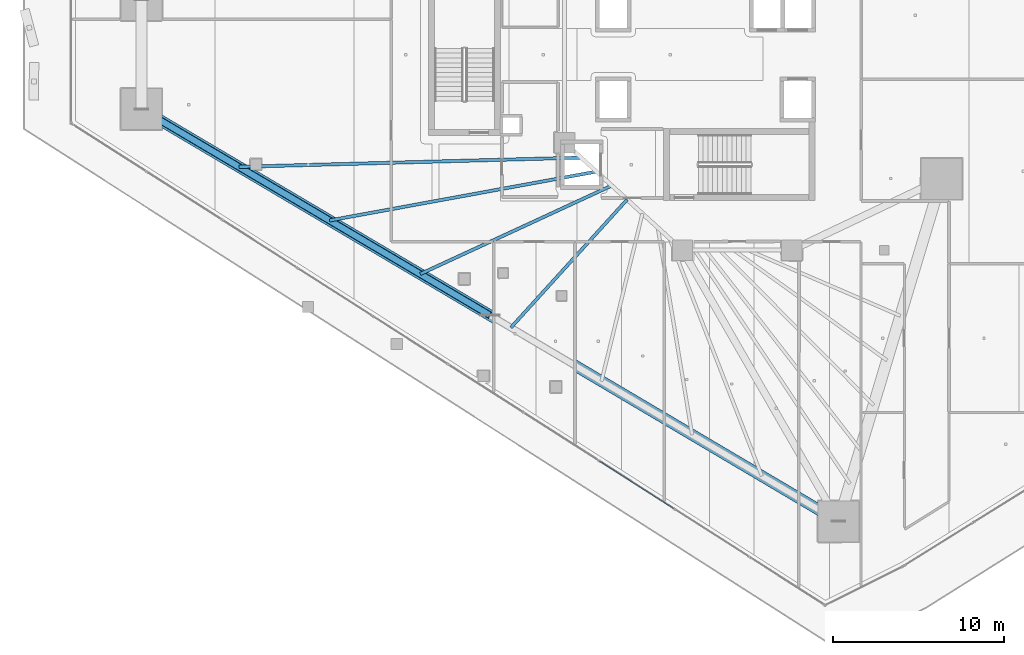
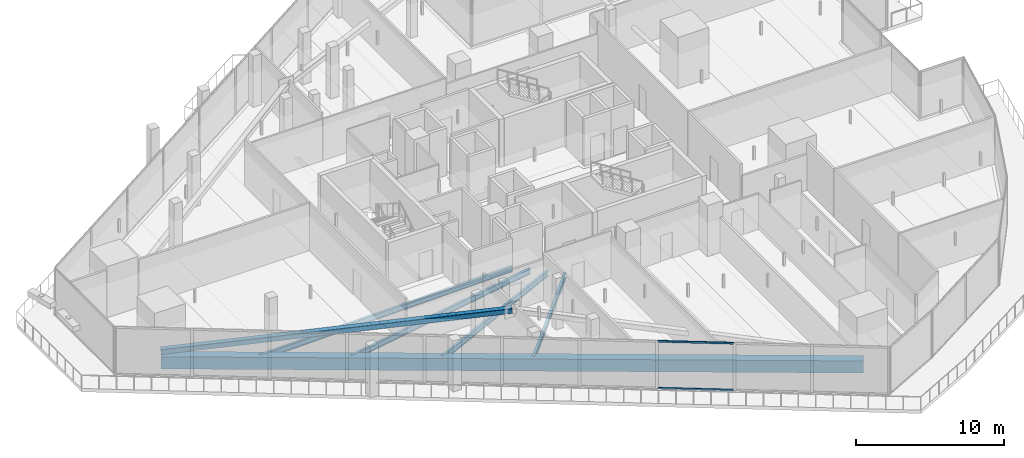
# One storey, part 5 of 47: 5 beams, 3 members, 1 element without a shape of its own.
"""IFC4 building model written with IfcOpenShell, lengths in metres."""

import ifcopenshell
import ifcopenshell.guid

model = None  # the IFC model being written
_history = None  # IfcOwnerHistory: only IFC2X3 demands one
_inside = {}  # id of a spatial element -> (the spatial element, [elements in it])
_under = {}  # id of a project, library or spatial element -> (it, [spatial elements below it])
_declared = {}  # id of a project -> (the project, [libraries it declares])
_typed = {}  # id of a type object -> (the type object, [elements of that type])
_made_of = {}  # id of a material, layer set ... -> (it, [elements and type objects made of it])


def new_model(schema):
    """Start an empty IFC model of exactly this schema.

    Asked for "IFC4X3", IfcOpenShell would pick the latest addendum, in which some entities
    have other attributes; the version numbers below select the first issue.
    IFC2X3 requires an IfcOwnerHistory on every rooted entity: one is made here for all.
    """
    global model, _history
    if schema == "IFC4X3":
        model = ifcopenshell.file(schema_version=(4, 3, 0, 0))
    else:
        model = ifcopenshell.file(schema=schema)
    _inside.clear()
    _under.clear()
    _declared.clear()
    _typed.clear()
    _made_of.clear()
    _history = None
    if model.schema == "IFC2X3":
        org = make("IfcOrganization", Name="unknown")
        user = make(
            "IfcPersonAndOrganization",
            ThePerson=make("IfcPerson", FamilyName="unknown"),
            TheOrganization=org,
        )
        app = make(
            "IfcApplication",
            ApplicationDeveloper=org,
            Version="unknown",
            ApplicationFullName="unknown",
            ApplicationIdentifier="unknown",
        )
        _history = make(
            "IfcOwnerHistory",
            OwningUser=user,
            OwningApplication=app,
            ChangeAction="ADDED",
            CreationDate=0,
        )
    return model


def make(cls, **values):
    """One entity of the class cls with the attributes given. An attribute that is None is left unset."""
    return model.create_entity(
        cls, **{name: value for name, value in values.items() if value is not None}
    )


def rooted(cls, **values):
    """An entity with a GlobalId (a new one), such as an element, a storey or a relation."""
    return make(cls, GlobalId=ifcopenshell.guid.new(), OwnerHistory=_history, **values)


def si_unit(unit_type, name, prefix=None):
    """IfcSIUnit, for example si_unit("LENGTHUNIT", "METRE", prefix="MILLI")."""
    return make("IfcSIUnit", UnitType=unit_type, Prefix=prefix, Name=name)


def assignment(units):
    """IfcUnitAssignment: the units of a project."""
    return None if units is None else make("IfcUnitAssignment", Units=units)


def point(xyz):
    """IfcCartesianPoint."""
    return None if xyz is None else make("IfcCartesianPoint", Coordinates=xyz)


def direction(xyz):
    """IfcDirection."""
    return None if xyz is None else make("IfcDirection", DirectionRatios=xyz)


def frame(location, z_axis=None, x_axis=None):
    """IfcAxis2Placement3D, a coordinate frame: its origin and axes. An axis left out is left unset."""
    return make(
        "IfcAxis2Placement3D",
        Location=point(location),
        Axis=direction(z_axis),
        RefDirection=direction(x_axis),
    )


def frame_2d(location, x_axis=None):
    """IfcAxis2Placement2D, a coordinate frame in the plane: its origin and x axis."""
    return make(
        "IfcAxis2Placement2D", Location=point(location), RefDirection=direction(x_axis)
    )


def origin():
    """The frame at (0, 0, 0) with its axes left unset."""
    return frame((0.0, 0.0, 0.0))


def origin_2d():
    """The frame at (0, 0) in the plane with its x axis left unset."""
    return frame_2d((0.0, 0.0))


def place(relative_to, where):
    """IfcLocalPlacement: puts the frame where relative to a parent placement (None: the world)."""
    return make(
        "IfcLocalPlacement", PlacementRelTo=relative_to, RelativePlacement=where
    )


def context(
    kind, dimensions, precision=None, world=None, true_north=None, identifier=None
):
    """IfcGeometricRepresentationContext, for example the 3D "Model" context."""
    return make(
        "IfcGeometricRepresentationContext",
        ContextIdentifier=identifier,
        ContextType=kind,
        CoordinateSpaceDimension=dimensions,
        Precision=precision,
        WorldCoordinateSystem=world,
        TrueNorth=true_north,
    )


def subcontext(parent, identifier, kind, view, scale=None):
    """IfcGeometricRepresentationSubContext, for example "Body" below "Model"."""
    return make(
        "IfcGeometricRepresentationSubContext",
        ContextIdentifier=identifier,
        ContextType=kind,
        ParentContext=parent,
        TargetScale=scale,
        TargetView=view,
    )


def project(units=None, contexts=None):
    """IfcProject with its units and contexts."""
    return rooted(
        "IfcProject",
        Name="project",
        RepresentationContexts=contexts,
        UnitsInContext=assignment(units),
    )


def spatial(cls, under=None, at=None, **own):
    """A site, building, storey or space (cls), placed at a placement, below another one or the project."""
    s = rooted(cls, ObjectPlacement=at, **own)
    if under is not None:
        _under.setdefault(under.id(), (under, []))[1].append(s)
    return s


def profile(cls, at=None, kind="AREA", **sizes):
    """A parametric profile (cls). Its sizes go by their IFC names, for example OverallWidth=200.0."""
    return make(cls, ProfileType=kind, Position=at, **sizes)


def rectangle(**sizes):
    """IfcRectangleProfileDef."""
    return profile("IfcRectangleProfileDef", **sizes)


def hollow_rectangle(**sizes):
    """IfcRectangleHollowProfileDef."""
    return profile("IfcRectangleHollowProfileDef", **sizes)


def i_section(**sizes):
    """IfcIShapeProfileDef."""
    return profile("IfcIShapeProfileDef", **sizes)


def extrude(swept, where, along, depth):
    """IfcExtrudedAreaSolid: the profile swept, set in the frame where, extruded along a direction by depth."""
    return make(
        "IfcExtrudedAreaSolid",
        SweptArea=swept,
        Position=where,
        ExtrudedDirection=direction(along),
        Depth=depth,
    )


def shape(context_of_items, identifier, shape_type, items):
    """IfcShapeRepresentation: the items that make up one representation, for example the "Body"."""
    return make(
        "IfcShapeRepresentation",
        ContextOfItems=context_of_items,
        RepresentationIdentifier=identifier,
        RepresentationType=shape_type,
        Items=items,
    )


def material(Name=None, Category=None):
    """IfcMaterial."""
    return make("IfcMaterial", Name=Name, Category=Category)


def layer(
    of_material, thickness, ventilated=None, Name=None, Category=None, Priority=None
):
    """IfcMaterialLayer: one layer of a wall or slab, of a material (None: an air gap)."""
    return make(
        "IfcMaterialLayer",
        Material=of_material,
        LayerThickness=thickness,
        IsVentilated=ventilated,
        Name=Name,
        Category=Category,
        Priority=Priority,
    )


def layer_set(layers, Name=None):
    """IfcMaterialLayerSet."""
    return make("IfcMaterialLayerSet", MaterialLayers=layers, LayerSetName=Name)


def material_profile(
    of_material, cross_section, Name=None, Category=None, Priority=None
):
    """IfcMaterialProfile: a cross section and its material."""
    return make(
        "IfcMaterialProfile",
        Name=Name,
        Material=of_material,
        Profile=cross_section,
        Priority=Priority,
        Category=Category,
    )


def profile_set(profiles, Name=None, composite=None):
    """IfcMaterialProfileSet."""
    return make(
        "IfcMaterialProfileSet",
        Name=Name,
        MaterialProfiles=profiles,
        CompositeProfile=composite,
    )


def made_of(thing, what):
    """Note that an element or type object is made of a material, layer set ...; save() writes the relation."""
    if what is not None:
        _made_of.setdefault(what.id(), (what, []))[1].append(thing)
    return thing


def type_object(cls, material=None, **own):
    """A type object (cls), such as IfcWallType, which elements share."""
    return made_of(rooted(cls, **own), material)


def element(
    cls,
    number,
    at=None,
    inside=None,
    cuts=None,
    type_object=None,
    material=None,
    context=None,
    identifier="Body",
    shape_type=None,
    held_by="IfcProductDefinitionShape",
    body=None,
    shapes=None,
    **own,
):
    """One element of the class cls, such as IfcWall. Its Tag is "e" and its number.

    at: its placement. inside: the storey or other place that contains it. cuts: it is an
    opening in that element (IfcRelVoidsElement). A single representation is given by context,
    identifier, shape_type and body (its items); several are given by shapes. held_by: the class
    of the entity that holds the representations. save() writes the other relations.
    """
    e = rooted(cls, Tag="e%d" % number, ObjectPlacement=at, **own)
    if body is not None:
        shapes = [shape(context, identifier, shape_type, body)]
    if shapes is not None:
        e.Representation = make(held_by, Representations=shapes)
    if inside is not None:
        _inside.setdefault(inside.id(), (inside, []))[1].append(e)
    if cuts is not None:
        rooted(
            "IfcRelVoidsElement", RelatingBuildingElement=cuts, RelatedOpeningElement=e
        )
    if type_object is not None:
        _typed.setdefault(type_object.id(), (type_object, []))[1].append(e)
    return made_of(e, material)


def aggregate(whole, parts):
    """IfcRelAggregates: a whole, such as a stair, and the parts it consists of."""
    return rooted("IfcRelAggregates", RelatingObject=whole, RelatedObjects=parts)


def save(model, path):
    """Write the relations noted so far, then the file.

    IfcRelAggregates (storeys below a building ...), IfcRelContainedInSpatialStructure (elements
    in a storey), IfcRelDefinesByType, IfcRelAssociatesMaterial and IfcRelDeclares: one each for
    every whole, place, type object, material and project.
    """
    for whole, parts in _under.values():
        aggregate(whole, parts)
    for where, things in _inside.values():
        rooted(
            "IfcRelContainedInSpatialStructure",
            RelatedElements=things,
            RelatingStructure=where,
        )
    for kind, things in _typed.values():
        rooted("IfcRelDefinesByType", RelatedObjects=things, RelatingType=kind)
    for what, things in _made_of.values():
        rooted("IfcRelAssociatesMaterial", RelatedObjects=things, RelatingMaterial=what)
    for by, libraries in _declared.values():
        rooted("IfcRelDeclares", RelatingContext=by, RelatedDefinitions=libraries)
    model.write(path)


model = new_model("IFC4")

# Units and contexts
model_context = context("Model", 3, precision=1e-05, world=origin(), true_north=direction((0.0, 1.0)))
body_context = subcontext(model_context, "Body", "Model", "MODEL_VIEW")
ifc_project = project(units=[si_unit("LENGTHUNIT", "METRE"), si_unit("AREAUNIT", "SQUARE_METRE"), si_unit("VOLUMEUNIT", "CUBIC_METRE"), si_unit("PLANEANGLEUNIT", "RADIAN"), si_unit("MASSUNIT", "GRAM", prefix="KILO")], contexts=[model_context])

# Site, building, storey
site_placement = place(None, origin())
site = spatial("IfcSite", under=ifc_project, at=site_placement, CompositionType="ELEMENT")
building_placement = place(site_placement, origin())
building = spatial("IfcBuilding", under=site, at=building_placement, Name="Qorvath Tower", CompositionType="ELEMENT")
storey_placement = place(building_placement, frame((0.0, 0.0, 74.39990234375)))
storey = spatial("IfcBuildingStorey", under=building, at=storey_placement, Name="L16", CompositionType="ELEMENT", Elevation=74.39990234375)

# Beams
ifc_material_1 = material(Name="Steel ASTM A992 Grade 50", Category="steel")
ifc_material_profile_1 = material_profile(ifc_material_1, i_section(OverallWidth=0.18994140625, OverallDepth=0.45703125, WebThickness=0.009033203125, FlangeThickness=0.014404296875, FilletRadius=0.011962890625, at=origin_2d()), Name="W18x50")
ifc_profile_set_1 = profile_set([ifc_material_profile_1], Name="Steel ASTM A992 Grade 50")
beam_type_1 = type_object("IfcBeamType", Name="BM-FJ2", PredefinedType="JOIST", material=ifc_profile_set_1)
beam_1_placement = place(storey_placement, frame((-29.533935546875, -6.031982421875, -0.50830078125), z_axis=(-0.999634925413, -0.02701880631, 0.0), x_axis=(0.02701880631, -0.999634925413, 0.0)))
element("IfcBeam", 1, at=beam_1_placement, inside=storey, type_object=beam_type_1, Name="Composite Floor Joist SW1 L16", PredefinedType="JOIST", context=body_context, shape_type="SweptSolid", body=[
    extrude(i_section(OverallWidth=0.18994140625, OverallDepth=0.45703125, WebThickness=0.009033203125, FlangeThickness=0.014404296875, FilletRadius=0.011962890625, at=origin_2d()), origin(), (0.0, 0.0, 1.0), 20.041748046875),
])
beam_2_placement = place(storey_placement, frame((-28.636962890625, -6.85107421875, -0.50830078125), z_axis=(-0.983656498786, -0.180055248176, 0.0), x_axis=(0.180055248176, -0.983656498786, 0.0)))
element("IfcBeam", 2, at=beam_2_placement, inside=storey, type_object=beam_type_1, Name="Composite Floor Joist SW2 L16", PredefinedType="JOIST", context=body_context, shape_type="SweptSolid", body=[
    extrude(i_section(OverallWidth=0.18994140625, OverallDepth=0.45703125, WebThickness=0.009033203125, FlangeThickness=0.014404296875, FilletRadius=0.011962890625, at=origin_2d()), origin(), (0.0, 0.0, 1.0), 15.884521484375),
])
beam_3_placement = place(storey_placement, frame((-27.739990234375, -7.669921875, -0.50830078125), z_axis=(-0.907881281747, -0.419227358665, 0.0), x_axis=(0.419227358665, -0.907881281747, 0.0)))
element("IfcBeam", 3, at=beam_3_placement, inside=storey, type_object=beam_type_1, Name="Composite Floor Joist SW3 L16", PredefinedType="JOIST", context=body_context, shape_type="SweptSolid", body=[
    extrude(i_section(OverallWidth=0.18994140625, OverallDepth=0.45703125, WebThickness=0.009033203125, FlangeThickness=0.014404296875, FilletRadius=0.011962890625, at=origin_2d()), origin(), (0.0, 0.0, 1.0), 12.353515625),
])
beam_4_placement = place(storey_placement, frame((-26.843017578125, -8.489013671875, -0.50830078125), z_axis=(-0.672128980215, -0.740434084815, 0.0), x_axis=(0.740434084815, -0.672128980215, 0.0)))
element("IfcBeam", 4, at=beam_4_placement, inside=storey, type_object=beam_type_1, Name="Composite Floor Joist SW4 L16", PredefinedType="JOIST", context=body_context, shape_type="SweptSolid", body=[
    extrude(i_section(OverallWidth=0.18994140625, OverallDepth=0.45703125, WebThickness=0.009033203125, FlangeThickness=0.014404296875, FilletRadius=0.011962890625, at=origin_2d()), origin(), (0.0, 0.0, 1.0), 10.1259765625),
])
ifc_material_2 = material(Name="Concrete C50/60", Category="concrete")
ifc_material_profile_2 = material_profile(ifc_material_2, rectangle(XDim=0.64990234375, YDim=1.0, at=origin_2d()), Name="RCB 1000x650")
ifc_profile_set_2 = profile_set([ifc_material_profile_2], Name="Concrete C50/60")
beam_type_2 = type_object("IfcBeamType", Name="BM-RCB1", PredefinedType="SPANDREL", material=ifc_profile_set_2)
beam_5_placement = place(storey_placement, frame((-55.282958984375, -3.194580078125, -0.77978515625), z_axis=(0.860777360917, -0.508981664633, 0.0), x_axis=(0.508981664633, 0.860777360917, 0.0)))
element("IfcBeam", 5, at=beam_5_placement, inside=storey, type_object=beam_type_2, Name="Perimeter Loggia Frame Beam MC2-MC3 L16", PredefinedType="SPANDREL", context=body_context, shape_type="SweptSolid", body=[
    extrude(rectangle(XDim=0.64990234375, YDim=1.0, at=origin_2d()), origin(), (0.0, 0.0, 1.0), 47.420654296875),
])

# Curtain wall, members
ifc_material_3 = material(Name="Anodised aluminium and triple low-E glass", Category="aluminium")
ifc_layer = layer(ifc_material_3, 0.179931640625)
ifc_layer_set = layer_set([ifc_layer], Name="CW-SYS-5")
curtain_wall_type = type_object("IfcCurtainWallType", Name="CW-SYS-5", PredefinedType="NOTDEFINED", material=ifc_layer_set)
curtain_wall_placement = place(storey_placement, origin())
curtain_wall = element("IfcCurtainWall", 6, at=curtain_wall_placement, inside=storey, type_object=curtain_wall_type, Name="Curtain Wall CW-5 CW-T-L16-6.1", PredefinedType="NOTDEFINED")
ifc_material_4 = material(Name="Anodised aluminium 6063-T6", Category="aluminium")
ifc_material_profile_3 = material_profile(ifc_material_4, hollow_rectangle(XDim=0.06494140625, YDim=0.159912109375, WallThickness=0.00341796875, InnerFilletRadius=0.00341796875, OuterFilletRadius=0.007080078125, at=origin_2d()), Name="CWT 160x65")
ifc_profile_set_3 = profile_set([ifc_material_profile_3], Name="Anodised aluminium 6063-T6")
member_type_1 = type_object("IfcMemberType", Name="CWT-160", PredefinedType="USERDEFINED", material=ifc_profile_set_3)
member_1_placement = place(storey_placement, frame((-28.463623046875, -23.80029296875, 0.032470703125), z_axis=(0.842608664129, -0.538526358811, 0.0), x_axis=(0.538526358811, 0.842608664129, 0.0)))
member_1 = element("IfcMember", 7, at=member_1_placement, type_object=member_type_1, Name="CW-5 transom 8.1", ObjectType="TRANSOM", PredefinedType="USERDEFINED", context=body_context, shape_type="SweptSolid", body=[
    extrude(hollow_rectangle(XDim=0.06494140625, YDim=0.159912109375, WallThickness=0.00341796875, InnerFilletRadius=0.00341796875, OuterFilletRadius=0.007080078125, at=origin_2d()), origin(), (0.0, 0.0, 1.0), 5.1640625),
])
member_2_placement = place(storey_placement, frame((-28.463623046875, -23.80029296875, 3.8876953125), z_axis=(0.842608664129, -0.538526358811, 0.0), x_axis=(0.538526358811, 0.842608664129, 0.0)))
member_2 = element("IfcMember", 8, at=member_2_placement, type_object=member_type_1, Name="CW-5 transom 8.2", ObjectType="TRANSOM", PredefinedType="USERDEFINED", context=body_context, shape_type="SweptSolid", body=[
    extrude(hollow_rectangle(XDim=0.06494140625, YDim=0.159912109375, WallThickness=0.00341796875, InnerFilletRadius=0.00341796875, OuterFilletRadius=0.007080078125, at=origin_2d()), origin(), (0.0, 0.0, 1.0), 5.1640625),
])
aggregate(curtain_wall, [member_1, member_2])

# Member
ifc_material_5 = material(Name="Steel ASTM A500 Grade C", Category="steel")
ifc_material_profile_4 = material_profile(ifc_material_5, hollow_rectangle(XDim=0.406494140625, YDim=0.406494140625, WallThickness=0.015869140625, InnerFilletRadius=0.015869140625, OuterFilletRadius=0.03173828125, at=origin_2d()), Name="HSS 406x406x16")
ifc_profile_set_4 = profile_set([ifc_material_profile_4], Name="Steel ASTM A500 Grade C")
member_type_2 = type_object("IfcMemberType", Name="MEM-MB1", PredefinedType="BRACE", material=ifc_profile_set_4)
member_3_placement = place(storey_placement, frame((-55.282958984375, -3.194580078125, 0.0), z_axis=(0.851179990517, -0.503309705145, 0.148902533391), x_axis=(0.50898392026, 0.86077602715, 0.0)))
element("IfcMember", 9, at=member_3_placement, inside=storey, type_object=member_type_2, Name="Perimeter Chevron Brace L16-2A", PredefinedType="BRACE", context=body_context, shape_type="SweptSolid", body=[
    extrude(hollow_rectangle(XDim=0.406494140625, YDim=0.406494140625, WallThickness=0.015869140625, InnerFilletRadius=0.015869140625, OuterFilletRadius=0.03173828125, at=origin_2d()), origin(), (0.0, 0.0, 1.0), 23.9775390625),
])

save(model, "model.ifc")
